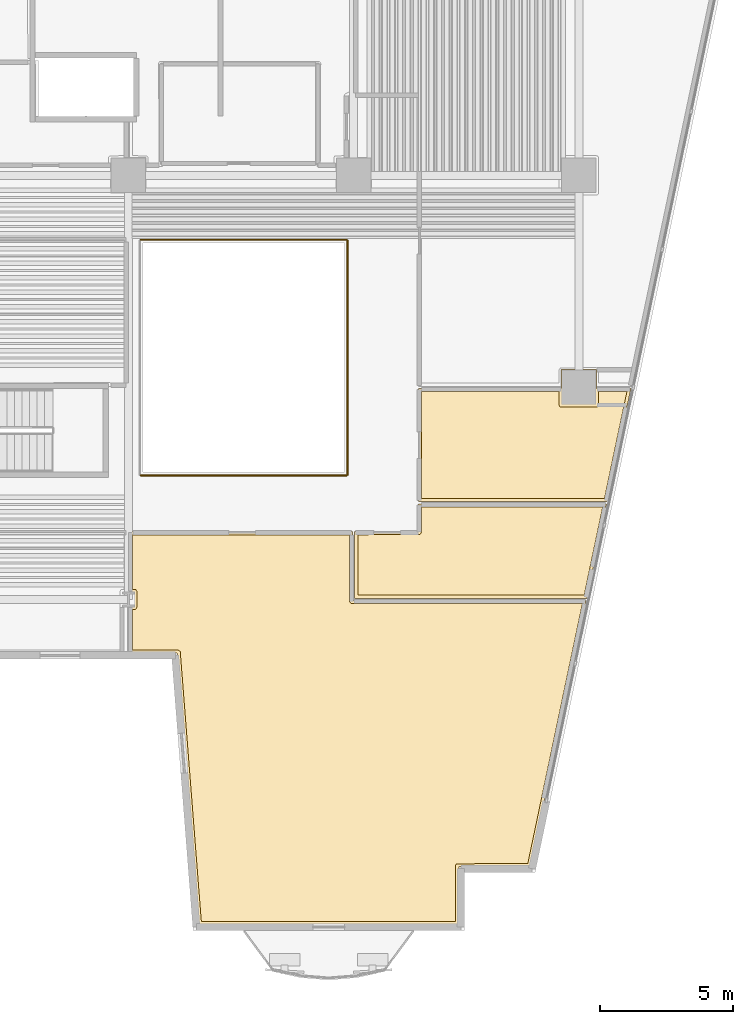
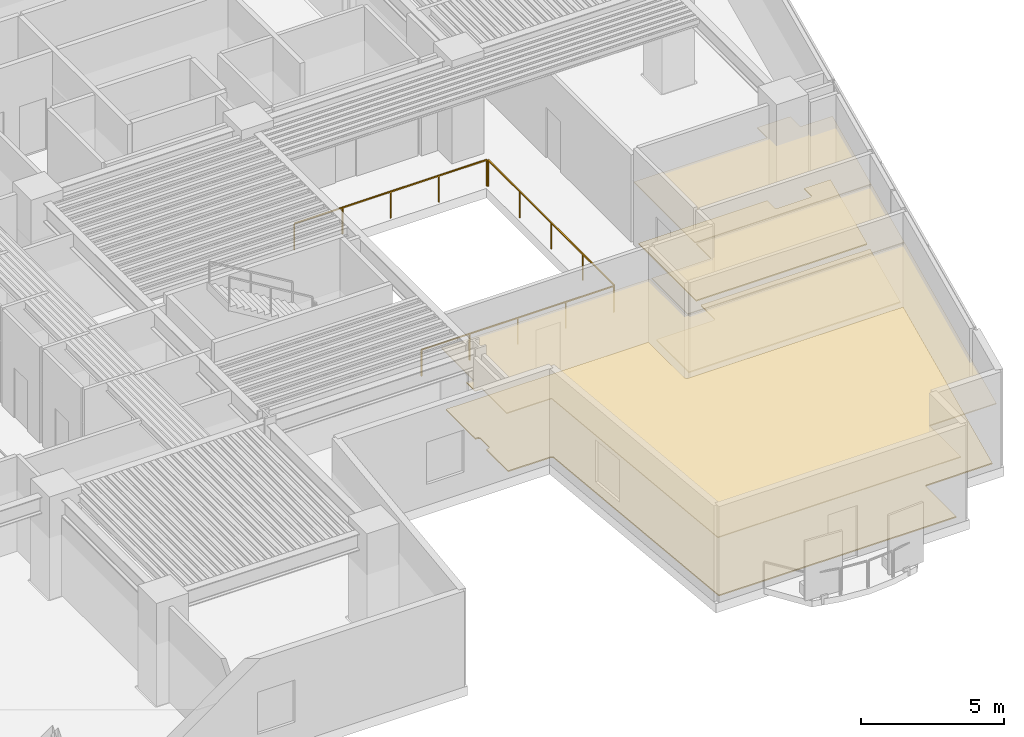
# One storey, part 10 of 12: 6 coverings, 3 railings.
"""IFC4 building model written with IfcOpenShell, lengths in metres."""

from ifc_helpers import new_model, si_unit, direction, frame, origin, origin_2d, place, context, subcontext, project, spatial, polyline, rectangle, outline, extrude, material, layer, layer_set, type_object, element, save


model = new_model("IFC4")

# Units and contexts
model_context = context("Model", 3, precision=1e-05, world=origin(), true_north=direction((0.0, 1.0)))
body_context = subcontext(model_context, "Body", "Model", "MODEL_VIEW")
ifc_project = project(units=[si_unit("LENGTHUNIT", "METRE"), si_unit("AREAUNIT", "SQUARE_METRE"), si_unit("VOLUMEUNIT", "CUBIC_METRE"), si_unit("PLANEANGLEUNIT", "RADIAN"), si_unit("MASSUNIT", "GRAM", prefix="KILO")], contexts=[model_context])

# Site, building, storey
site_placement = place(None, origin())
site = spatial("IfcSite", under=ifc_project, at=site_placement, CompositionType="ELEMENT")
building_placement = place(site_placement, origin())
building = spatial("IfcBuilding", under=site, at=building_placement, Name="Caeloran Harvest Quay", CompositionType="ELEMENT")
storey_placement = place(building_placement, frame((0.0, 0.0, 27.0)))
storey = spatial("IfcBuildingStorey", under=building, at=storey_placement, Name="L06", CompositionType="ELEMENT", Elevation=27.0)

# Coverings
ifc_material_1 = material(Name="Perforated Mineral-Fibre Acoustic Ceiling Tile", Category="ceiling")
ifc_layer_1 = layer(ifc_material_1, 0.0400390625, Name="Perforated Mineral-Fibre Acoustic Ceiling Tile")
ifc_layer_set_1 = layer_set([ifc_layer_1], Name="Perforated Mineral-Fibre Acoustic Ceiling Tile")
covering_type_1 = type_object("IfcCoveringType", Name="COV-CEILING-ACOUSTIC", PredefinedType="CEILING", material=ifc_layer_set_1)
covering_1_placement = place(storey_placement, frame((0.0, 0.0, 2.60009765625)))
element("IfcCovering", 1, at=covering_1_placement, inside=storey, type_object=covering_type_1, Name="Leafy-Greens Hydroponic Growing Hall Acoustic Ceiling", PredefinedType="CEILING", context=body_context, shape_type="SweptSolid", body=[
    extrude(outline(polyline([(34.0400390625, 14.695556640625), (33.7529296875, 14.695556640625), (33.7529296875, 15.304443359375), (34.0400390625, 15.304443359375), (34.0400390625, 17.56005859375), (42.4599609375, 17.56005859375), (42.4599609375, 14.9599609375), (51.27978515625, 14.9599609375), (49.170654296875, 4.919921875), (46.467041015625, 4.919921875), (46.467041015625, 2.719970703125), (36.64404296875, 2.719970703125), (35.843994140625, 12.969970703125), (34.0400390625, 12.969970703125), (34.0400390625, 14.695556640625)])), origin(), (0.0, 0.0, 1.0), 0.039794921875),
])
covering_2_placement = place(storey_placement, frame((0.0, 0.0, 2.60009765625)))
element("IfcCovering", 2, at=covering_2_placement, inside=storey, type_object=covering_type_1, Name="Nutrient QA Laboratory Acoustic Ceiling", PredefinedType="CEILING", context=body_context, shape_type="SweptSolid", body=[
    extrude(outline(polyline([(44.93994140625, 17.56005859375), (44.93994140625, 18.610107421875), (52.04638671875, 18.610107421875), (51.29638671875, 15.0400390625), (42.5400390625, 15.0400390625), (42.5400390625, 17.56005859375), (44.93994140625, 17.56005859375)])), origin(), (0.0, 0.0, 1.0), 0.039794921875),
])
covering_3_placement = place(storey_placement, frame((0.0, 0.0, 2.60009765625)))
element("IfcCovering", 3, at=covering_3_placement, inside=storey, type_object=covering_type_1, Name="Harvest Cold Buffer Laboratory Acoustic Ceiling", PredefinedType="CEILING", context=body_context, shape_type="SweptSolid", body=[
    extrude(outline(polyline([(44.93994140625, 22.9599609375), (50.330078125, 22.9599609375), (50.330078125, 23.669921875), (51.669921875, 23.669921875), (51.669921875, 22.9599609375), (52.960205078125, 22.9599609375), (52.063232421875, 18.68994140625), (44.93994140625, 18.68994140625), (44.93994140625, 22.9599609375)])), origin(), (0.0, 0.0, 1.0), 0.039794921875),
])
ifc_material_2 = material(Name="Calcium-Sulphate Raised Access Floor and Terrazzo Finish", Category="flooring")
ifc_layer_2 = layer(ifc_material_2, 0.050048828125, Name="Calcium-Sulphate Raised Access Floor and Terrazzo Finish")
ifc_layer_set_2 = layer_set([ifc_layer_2], Name="Calcium-Sulphate Raised Access Floor and Terrazzo Finish")
covering_type_2 = type_object("IfcCoveringType", Name="COV-FLOOR-RAISED", PredefinedType="FLOORING", material=ifc_layer_set_2)
covering_4_placement = place(storey_placement, origin())
element("IfcCovering", 4, at=covering_4_placement, inside=storey, type_object=covering_type_2, Name="Leafy-Greens Hydroponic Growing Hall Raised Finish Flooring", PredefinedType="FLOORING", context=body_context, shape_type="SweptSolid", body=[
    extrude(outline(polyline([(34.159912109375, 13.090087890625), (34.159912109375, 14.62060546875), (34.27978515625, 14.6298828125), (34.322021484375, 14.700439453125), (34.320556640625, 15.315185546875), (34.272705078125, 15.373291015625), (34.159912109375, 15.37939453125), (34.159912109375, 17.43994140625), (42.340087890625, 17.43994140625), (42.340087890625, 14.919921875), (42.404296875, 14.841552734375), (51.1318359375, 14.840087890625), (49.0732421875, 5.0400390625), (46.376220703125, 5.021728515625), (46.346923828125, 4.9599609375), (46.346923828125, 2.840087890625), (36.7548828125, 2.840087890625), (35.9580078125, 13.031982421875), (35.881103515625, 13.090087890625), (34.159912109375, 13.090087890625)])), origin(), (0.0, 0.0, 1.0), 0.050048828125),
])
covering_5_placement = place(storey_placement, origin())
element("IfcCovering", 5, at=covering_5_placement, inside=storey, type_object=covering_type_2, Name="Nutrient QA Laboratory Raised Finish Flooring", PredefinedType="FLOORING", context=body_context, shape_type="SweptSolid", body=[
    extrude(outline(polyline([(44.97802734375, 17.443603515625), (45.037353515625, 17.4833984375), (45.059814453125, 17.543212890625), (45.06005859375, 18.489990234375), (51.898681640625, 18.489990234375), (51.19921875, 15.159912109375), (42.659912109375, 15.159912109375), (42.659912109375, 17.43994140625), (44.97802734375, 17.443603515625)])), origin(), (0.0, 0.0, 1.0), 0.050048828125),
])
covering_6_placement = place(storey_placement, origin())
element("IfcCovering", 6, at=covering_6_placement, inside=storey, type_object=covering_type_2, Name="Harvest Cold Buffer Laboratory Raised Finish Flooring", PredefinedType="FLOORING", context=body_context, shape_type="SweptSolid", body=[
    extrude(outline(polyline([(45.06005859375, 18.81005859375), (45.06005859375, 22.840087890625), (50.2548828125, 22.840087890625), (50.25537109375, 22.3271484375), (50.2841796875, 22.273193359375), (50.3349609375, 22.2548828125), (51.6806640625, 22.256591796875), (51.74462890625, 22.3271484375), (51.7451171875, 22.840087890625), (52.8125, 22.840087890625), (51.9658203125, 18.81005859375), (45.06005859375, 18.81005859375)])), origin(), (0.0, 0.0, 1.0), 0.050048828125),
])

# Railings
ifc_material_3 = material(Name="Powder-Coated Steel Post and Laminated Glass Guardrail", Category="steel")
ifc_layer_3 = layer(ifc_material_3, 0.06005859375, Name="Powder-Coated Steel Post and Laminated Glass Guardrail")
ifc_layer_set_3 = layer_set([ifc_layer_3], Name="Powder-Coated Steel Post and Laminated Glass Guardrail")
railing_type = type_object("IfcRailingType", Name="GUARD-ATRIUM-1150", PredefinedType="GUARDRAIL", material=ifc_layer_set_3)
railing_1_placement = place(storey_placement, frame((34.4619140625, 19.679931640625, 0.0)))
element("IfcRailing", 7, at=railing_1_placement, inside=storey, type_object=railing_type, Name="L06 East Botanical Lightwell Guardrail Seg 1", PredefinedType="GUARDRAIL", context=body_context, shape_type="SweptSolid", body=[
    extrude(rectangle(XDim=0.048095703125, YDim=0.048095703125, at=origin_2d()), frame((0.0, 0.0, 1.1259765625), z_axis=(1.0, 0.0, 0.0), x_axis=(0.0, 1.0, 0.0)), (0.0, 0.0, 1.0), 7.776123046875),
    extrude(rectangle(XDim=0.0419921875, YDim=0.0419921875, at=origin_2d()), origin(), (0.0, 0.0, 1.0), 1.101806640625),
    extrude(rectangle(XDim=0.0419921875, YDim=0.0419921875, at=origin_2d()), frame((1.944091796875, 0.0, 0.0)), (0.0, 0.0, 1.0), 1.101806640625),
    extrude(rectangle(XDim=0.0419921875, YDim=0.0419921875, at=origin_2d()), frame((3.88818359375, 0.0, 0.0)), (0.0, 0.0, 1.0), 1.101806640625),
    extrude(rectangle(XDim=0.0419921875, YDim=0.0419921875, at=origin_2d()), frame((5.83203125, 0.0, 0.0)), (0.0, 0.0, 1.0), 1.101806640625),
    extrude(rectangle(XDim=0.0419921875, YDim=0.0419921875, at=origin_2d()), frame((7.776123046875, 0.0, 0.0)), (0.0, 0.0, 1.0), 1.101806640625),
])
railing_2_placement = place(storey_placement, frame((42.27001953125, 19.7119140625, 0.0)))
element("IfcRailing", 8, at=railing_2_placement, inside=storey, type_object=railing_type, Name="L06 East Botanical Lightwell Guardrail Seg 2", PredefinedType="GUARDRAIL", context=body_context, shape_type="SweptSolid", body=[
    extrude(rectangle(XDim=0.048095703125, YDim=0.048095703125, at=origin_2d()), frame((0.0, 0.0, 1.1259765625), z_axis=(0.0, 1.0, 0.0), x_axis=(-1.0, 0.0, 0.0)), (0.0, 0.0, 1.0), 8.826171875),
    extrude(rectangle(XDim=0.0419921875, YDim=0.0419921875, at=origin_2d()), origin(), (0.0, 0.0, 1.0), 1.101806640625),
    extrude(rectangle(XDim=0.0419921875, YDim=0.0419921875, at=origin_2d()), frame((0.0, 2.20654296875, 0.0)), (0.0, 0.0, 1.0), 1.101806640625),
    extrude(rectangle(XDim=0.0419921875, YDim=0.0419921875, at=origin_2d()), frame((0.0, 4.4130859375, 0.0)), (0.0, 0.0, 1.0), 1.101806640625),
    extrude(rectangle(XDim=0.0419921875, YDim=0.0419921875, at=origin_2d()), frame((0.0, 6.61962890625, 0.0)), (0.0, 0.0, 1.0), 1.101806640625),
    extrude(rectangle(XDim=0.0419921875, YDim=0.0419921875, at=origin_2d()), frame((0.0, 8.826171875, 0.0)), (0.0, 0.0, 1.0), 1.101806640625),
])
railing_3_placement = place(storey_placement, frame((42.238037109375, 28.570068359375, 0.0)))
element("IfcRailing", 9, at=railing_3_placement, inside=storey, type_object=railing_type, Name="L06 East Botanical Lightwell Guardrail Seg 3", PredefinedType="GUARDRAIL", context=body_context, shape_type="SweptSolid", body=[
    extrude(rectangle(XDim=0.048095703125, YDim=0.048095703125, at=origin_2d()), frame((0.0, 0.0, 1.1259765625), z_axis=(-1.0, 0.0, 0.0), x_axis=(0.0, -1.0, 0.0)), (0.0, 0.0, 1.0), 7.776123046875),
    extrude(rectangle(XDim=0.0419921875, YDim=0.0419921875, at=origin_2d()), origin(), (0.0, 0.0, 1.0), 1.101806640625),
    extrude(rectangle(XDim=0.0419921875, YDim=0.0419921875, at=origin_2d()), frame((-1.944091796875, 0.0, 0.0)), (0.0, 0.0, 1.0), 1.101806640625),
    extrude(rectangle(XDim=0.0419921875, YDim=0.0419921875, at=origin_2d()), frame((-3.88818359375, 0.0, 0.0)), (0.0, 0.0, 1.0), 1.101806640625),
    extrude(rectangle(XDim=0.0419921875, YDim=0.0419921875, at=origin_2d()), frame((-5.83203125, 0.0, 0.0)), (0.0, 0.0, 1.0), 1.101806640625),
    extrude(rectangle(XDim=0.0419921875, YDim=0.0419921875, at=origin_2d()), frame((-7.776123046875, 0.0, 0.0)), (0.0, 0.0, 1.0), 1.101806640625),
])

save(model, "model.ifc")
